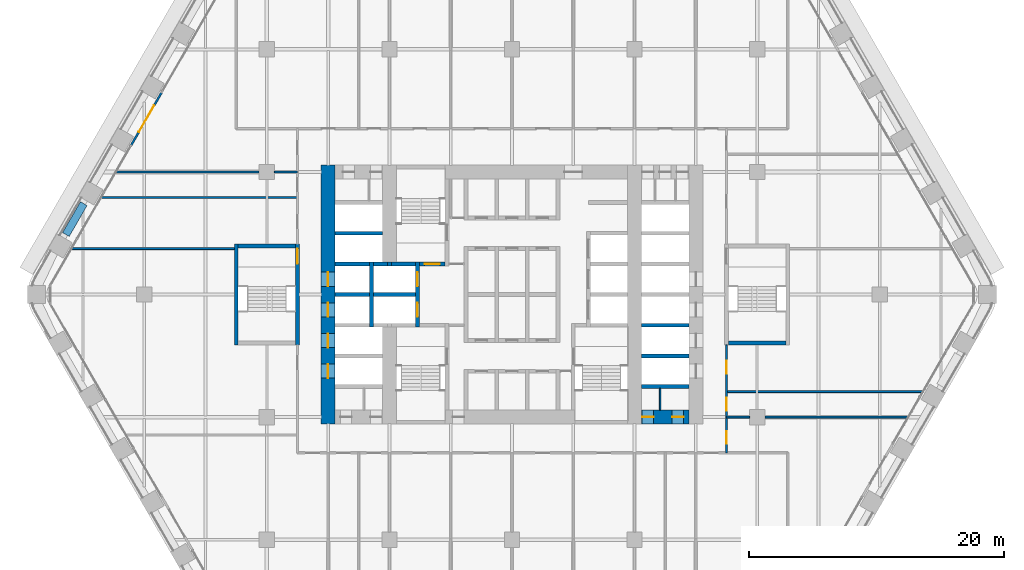
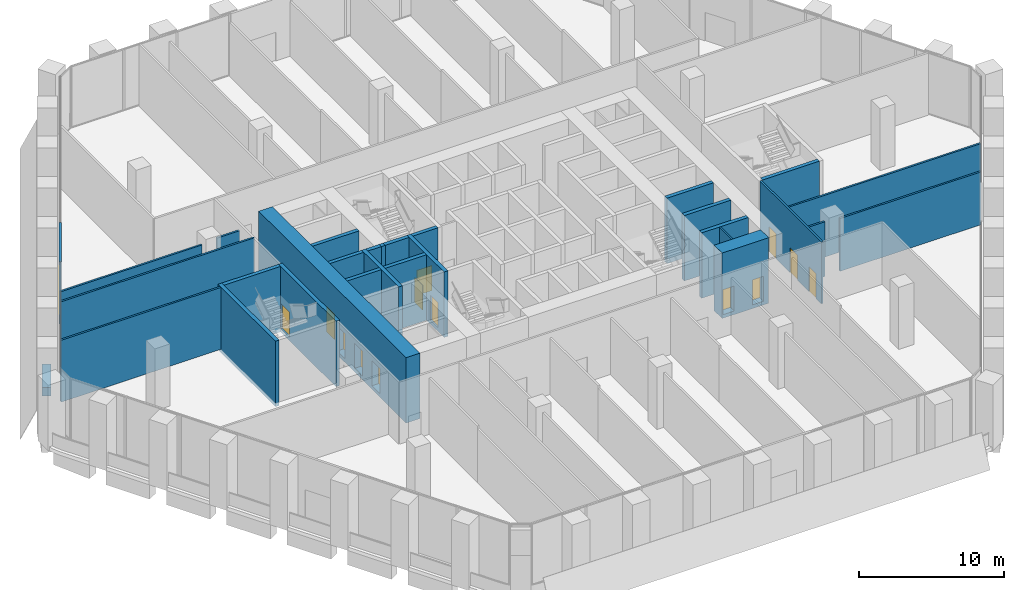
# One storey, part 19 of 27: 30 walls, 14 doors, 14 openings.
"""IFC4 building model written with IfcOpenShell, lengths in metres."""

from ifc_helpers import new_model, si_unit, direction, frame, frame_2d, origin, place, context, subcontext, project, spatial, rectangle, extrude, material, layer, layer_set, type_object, element, fill, save


model = new_model("IFC4")

# Units and contexts
model_context = context("Model", 3, precision=1e-05, world=origin(), true_north=direction((0.0, 1.0)))
body_context = subcontext(model_context, "Body", "Model", "MODEL_VIEW")
ifc_project = project(units=[si_unit("LENGTHUNIT", "METRE"), si_unit("AREAUNIT", "SQUARE_METRE"), si_unit("VOLUMEUNIT", "CUBIC_METRE"), si_unit("PLANEANGLEUNIT", "RADIAN"), si_unit("MASSUNIT", "GRAM", prefix="KILO")], contexts=[model_context])

# Site, building, storey
site_placement = place(None, origin())
site = spatial("IfcSite", under=ifc_project, at=site_placement, CompositionType="ELEMENT")
building_placement = place(site_placement, origin())
building = spatial("IfcBuilding", under=site, at=building_placement, Name="Kolab Exchange Tower", CompositionType="ELEMENT")
storey_placement = place(building_placement, frame((0.0, 0.0, 66.39990234375)))
storey = spatial("IfcBuildingStorey", under=building, at=storey_placement, Name="L12", CompositionType="ELEMENT", Elevation=66.39990234375)

# Wall, openings, doors
ifc_material_1 = material(Name="Concrete C80/95", Category="concrete")
ifc_layer_1 = layer(ifc_material_1, 1.10009765625)
ifc_layer_set_1 = layer_set([ifc_layer_1], Name="Concrete C80/95")
wall_type_1 = type_object("IfcWallType", Name="CORE WALL 1100 C80/95", PredefinedType="SHEAR", material=ifc_layer_set_1)
wall_1_placement = place(storey_placement, frame((10.14990234375, -9.60009765625, -0.2998046875), z_axis=(0.0, 0.0, 1.0), x_axis=(1.0, 0.0, 0.0)))
wall_1 = element("IfcWall", 1, at=wall_1_placement, inside=storey, type_object=wall_type_1, Name="wall/L12/core/004", PredefinedType="SHEAR", context=body_context, shape_type="SweptSolid", body=[
    extrude(rectangle(XDim=3.7001953125, YDim=1.10009765625, at=frame_2d((1.85009765625, 0.0))), origin(), (0.0, 0.0, 1.0), 5.5),
])
opening_1_placement = place(wall_1_placement, frame((0.050048828125, 0.0, 0.300048828125)))
opening_1 = element("IfcOpeningElement", 2, at=opening_1_placement, cuts=wall_1, Name="Opening D6-161", PredefinedType="OPENING", context=body_context, shape_type="SweptSolid", body=[
    extrude(rectangle(XDim=0.89990234375, YDim=2.10009765625, at=frame_2d((0.449951171875, 1.050048828125))), frame((0.0, 0.56005859375, 0.0), z_axis=(0.0, -1.0, 0.0), x_axis=(1.0, 0.0, 0.0)), (0.0, 0.0, 1.0), 1.1201171875),
])
opening_2_placement = place(wall_1_placement, frame((2.39990234375, 0.0, 0.300048828125)))
opening_2 = element("IfcOpeningElement", 3, at=opening_2_placement, cuts=wall_1, Name="Opening D6-162", PredefinedType="OPENING", context=body_context, shape_type="SweptSolid", body=[
    extrude(rectangle(XDim=0.89990234375, YDim=2.10009765625, at=frame_2d((0.449951171875, 1.050048828125))), frame((0.0, 0.56005859375, 0.0), z_axis=(0.0, -1.0, 0.0), x_axis=(1.0, 0.0, 0.0)), (0.0, 0.0, 1.0), 1.1201171875),
])
ifc_material_2 = material(Name="Steel S235", Category="steel")
door_type_1 = type_object("IfcDoorType", Name="CORE DOOR 900 EI 120", OperationType="SINGLE_SWING_LEFT", PredefinedType="DOOR", material=ifc_material_2)
door_1_placement = place(opening_1_placement, origin())
door_1 = element("IfcDoor", 4, at=door_1_placement, inside=storey, type_object=door_type_1, Name="Service room door", OperationType="SINGLE_SWING_RIGHT", OverallHeight=2.10009765625, OverallWidth=0.89990234375, PredefinedType="DOOR", context=body_context, shape_type="SweptSolid", body=[
    extrude(rectangle(XDim=0.89990234375, YDim=2.10009765625, at=frame_2d((0.449951171875, 1.050048828125))), frame((0.0, 0.02490234375, 0.0), z_axis=(0.0, -1.0, 0.0), x_axis=(1.0, 0.0, 0.0)), (0.0, 0.0, 1.0), 0.050048828125),
])
fill(opening_1, door_1)
door_2_placement = place(opening_2_placement, origin())
door_2 = element("IfcDoor", 5, at=door_2_placement, inside=storey, type_object=door_type_1, Name="Service room door", OperationType="SINGLE_SWING_LEFT", OverallHeight=2.10009765625, OverallWidth=0.89990234375, PredefinedType="DOOR", context=body_context, shape_type="SweptSolid", body=[
    extrude(rectangle(XDim=0.89990234375, YDim=2.10009765625, at=frame_2d((0.449951171875, 1.050048828125))), frame((0.0, 0.02490234375, 0.0), z_axis=(0.0, -1.0, 0.0), x_axis=(1.0, 0.0, 0.0)), (0.0, 0.0, 1.0), 0.050048828125),
])
fill(opening_2, door_2)

wall_2_placement = place(storey_placement, frame((-14.39990234375, -10.14990234375, -0.2998046875), z_axis=(0.0, 0.0, 1.0), x_axis=(0.0, 1.0, 0.0)))
wall_2 = element("IfcWall", 6, at=wall_2_placement, inside=storey, type_object=wall_type_1, Name="wall/L12/core/057", PredefinedType="SHEAR", context=body_context, shape_type="SweptSolid", body=[
    extrude(rectangle(XDim=20.2998046875, YDim=1.10009765625, at=frame_2d((10.14990234375, 0.0))), origin(), (0.0, 0.0, 1.0), 5.5),
])
opening_3_placement = place(wall_2_placement, frame((3.60009765625, 0.0, 0.300048828125)))
opening_3 = element("IfcOpeningElement", 7, at=opening_3_placement, cuts=wall_2, Name="Opening LD1-057", PredefinedType="OPENING", context=body_context, shape_type="SweptSolid", body=[
    extrude(rectangle(XDim=1.10009765625, YDim=2.10009765625, at=frame_2d((0.550048828125, 1.050048828125))), frame((0.0, 0.56005859375, 0.0), z_axis=(0.0, -1.0, 0.0), x_axis=(1.0, 0.0, 0.0)), (0.0, 0.0, 1.0), 1.1201171875),
])
opening_4_placement = place(wall_2_placement, frame((6.0, 0.0, 0.300048828125)))
opening_4 = element("IfcOpeningElement", 8, at=opening_4_placement, cuts=wall_2, Name="Opening LD1-058", PredefinedType="OPENING", context=body_context, shape_type="SweptSolid", body=[
    extrude(rectangle(XDim=1.10009765625, YDim=2.10009765625, at=frame_2d((0.550048828125, 1.050048828125))), frame((0.0, 0.56005859375, 0.0), z_axis=(0.0, -1.0, 0.0), x_axis=(1.0, 0.0, 0.0)), (0.0, 0.0, 1.0), 1.1201171875),
])
opening_5_placement = place(wall_2_placement, frame((8.39990234375, 0.0, 0.300048828125)))
opening_5 = element("IfcOpeningElement", 9, at=opening_5_placement, cuts=wall_2, Name="Opening LD1-059", PredefinedType="OPENING", context=body_context, shape_type="SweptSolid", body=[
    extrude(rectangle(XDim=1.10009765625, YDim=2.10009765625, at=frame_2d((0.550048828125, 1.050048828125))), frame((0.0, 0.56005859375, 0.0), z_axis=(0.0, -1.0, 0.0), x_axis=(1.0, 0.0, 0.0)), (0.0, 0.0, 1.0), 1.1201171875),
])
opening_6_placement = place(wall_2_placement, frame((10.800048828125, 0.0, 0.300048828125)))
opening_6 = element("IfcOpeningElement", 10, at=opening_6_placement, cuts=wall_2, Name="Opening LD1-060", PredefinedType="OPENING", context=body_context, shape_type="SweptSolid", body=[
    extrude(rectangle(XDim=1.10009765625, YDim=2.10009765625, at=frame_2d((0.550048828125, 1.050048828125))), frame((0.0, 0.56005859375, 0.0), z_axis=(0.0, -1.0, 0.0), x_axis=(1.0, 0.0, 0.0)), (0.0, 0.0, 1.0), 1.1201171875),
])
ifc_material_3 = material(Name="Stainless steel 316", Category="steel")
door_type_2 = type_object("IfcDoorType", Name="LANDING DOOR 1100 PASSENGER", OperationType="DOUBLE_DOOR_SLIDING", PredefinedType="DOOR", material=ifc_material_3)
door_3_placement = place(opening_3_placement, origin())
door_3 = element("IfcDoor", 11, at=door_3_placement, inside=storey, type_object=door_type_2, Name="Landing door LR5", OperationType="DOUBLE_DOOR_SLIDING", OverallHeight=2.10009765625, OverallWidth=1.10009765625, PredefinedType="DOOR", context=body_context, shape_type="SweptSolid", body=[
    extrude(rectangle(XDim=1.10009765625, YDim=2.10009765625, at=frame_2d((0.550048828125, 1.050048828125))), frame((0.0, 0.02490234375, 0.0), z_axis=(0.0, -1.0, 0.0), x_axis=(1.0, 0.0, 0.0)), (0.0, 0.0, 1.0), 0.050048828125),
])
fill(opening_3, door_3)
door_4_placement = place(opening_4_placement, origin())
door_4 = element("IfcDoor", 12, at=door_4_placement, inside=storey, type_object=door_type_2, Name="Landing door LR6", OperationType="DOUBLE_DOOR_SLIDING", OverallHeight=2.10009765625, OverallWidth=1.10009765625, PredefinedType="DOOR", context=body_context, shape_type="SweptSolid", body=[
    extrude(rectangle(XDim=1.10009765625, YDim=2.10009765625, at=frame_2d((0.550048828125, 1.050048828125))), frame((0.0, 0.02490234375, 0.0), z_axis=(0.0, -1.0, 0.0), x_axis=(1.0, 0.0, 0.0)), (0.0, 0.0, 1.0), 0.050048828125),
])
fill(opening_4, door_4)
door_5_placement = place(opening_5_placement, origin())
door_5 = element("IfcDoor", 13, at=door_5_placement, inside=storey, type_object=door_type_2, Name="Landing door LR7", OperationType="DOUBLE_DOOR_SLIDING", OverallHeight=2.10009765625, OverallWidth=1.10009765625, PredefinedType="DOOR", context=body_context, shape_type="SweptSolid", body=[
    extrude(rectangle(XDim=1.10009765625, YDim=2.10009765625, at=frame_2d((0.550048828125, 1.050048828125))), frame((0.0, 0.02490234375, 0.0), z_axis=(0.0, -1.0, 0.0), x_axis=(1.0, 0.0, 0.0)), (0.0, 0.0, 1.0), 0.050048828125),
])
fill(opening_5, door_5)
door_6_placement = place(opening_6_placement, origin())
door_6 = element("IfcDoor", 14, at=door_6_placement, inside=storey, type_object=door_type_2, Name="Landing door LR8", OperationType="DOUBLE_DOOR_SLIDING", OverallHeight=2.10009765625, OverallWidth=1.10009765625, PredefinedType="DOOR", context=body_context, shape_type="SweptSolid", body=[
    extrude(rectangle(XDim=1.10009765625, YDim=2.10009765625, at=frame_2d((0.550048828125, 1.050048828125))), frame((0.0, 0.02490234375, 0.0), z_axis=(0.0, -1.0, 0.0), x_axis=(1.0, 0.0, 0.0)), (0.0, 0.0, 1.0), 0.050048828125),
])
fill(opening_6, door_6)

# Wall, opening, door
ifc_material_4 = material(Name="Aluminium EN AW-6063 T6", Category="aluminium")
ifc_layer_2 = layer(ifc_material_4, 0.159912109375)
ifc_layer_set_2 = layer_set([ifc_layer_2], Name="Aluminium EN AW-6063 T6")
wall_type_2 = type_object("IfcWallType", Name="DOOR SURROUND WALL 160 ALUMINIUM FRAMED", PredefinedType="PARTITIONING", material=ifc_layer_set_2)
wall_3_placement = place(storey_placement, frame((-29.816650390625, 11.706787109375, 0.0), z_axis=(0.0, 0.0, 1.0), x_axis=(0.499978080042, 0.866038058908, 0.0)))
wall_3 = element("IfcWall", 15, at=wall_3_placement, inside=storey, type_object=wall_type_2, Name="Door surround wall", PredefinedType="PARTITIONING", context=body_context, shape_type="SweptSolid", body=[
    extrude(rectangle(XDim=4.739990234375, YDim=0.159912109375, at=frame_2d((2.3701171875, 0.0))), origin(), (0.0, 0.0, 1.0), 5.2001953125),
])
opening_7_placement = place(wall_3_placement, frame((1.169921875, 0.0, 0.0)))
opening_7 = element("IfcOpeningElement", 16, at=opening_7_placement, cuts=wall_3, Name="Opening GD1-028", PredefinedType="OPENING", context=body_context, shape_type="SweptSolid", body=[
    extrude(rectangle(XDim=2.39990234375, YDim=2.39990234375, at=frame_2d((1.199951171875, 1.199951171875))), frame((0.0, 0.08984375, 0.0), z_axis=(0.0, -1.0, 0.0), x_axis=(1.0, 0.0, 0.0)), (0.0, 0.0, 1.0), 0.179931640625),
])
door_type_3 = type_object("IfcDoorType", Name="LOGGIA SLIDING GLASS DOOR 2400 X 2400", OperationType="DOUBLE_DOOR_SINGLE_SWING", PredefinedType="DOOR", material=ifc_material_4)
door_7_placement = place(opening_7_placement, origin())
door_7 = element("IfcDoor", 17, at=door_7_placement, inside=storey, type_object=door_type_3, Name="Loggia door", OperationType="DOUBLE_DOOR_SLIDING", OverallHeight=2.39990234375, OverallWidth=2.39990234375, PredefinedType="DOOR", context=body_context, shape_type="SweptSolid", body=[
    extrude(rectangle(XDim=2.39990234375, YDim=2.39990234375, at=frame_2d((1.199951171875, 1.199951171875))), frame((0.0, 0.02490234375, 0.0), z_axis=(0.0, -1.0, 0.0), x_axis=(1.0, 0.0, 0.0)), (0.0, 0.0, 1.0), 0.050048828125),
])
fill(opening_7, door_7)

# Walls
ifc_material_5 = material(Name="Concrete C50/60", Category="concrete")
ifc_layer_3 = layer(ifc_material_5, 0.300048828125)
ifc_layer_set_3 = layer_set([ifc_layer_3], Name="Concrete C50/60")
wall_type_3 = type_object("IfcWallType", Name="LIFT SHAFT WALL 300 C50/60", PredefinedType="STANDARD", material=ifc_layer_set_3)
for number, where, z_axis, x_axis, name in (
    (18, (10.14990234375, -7.199951171875, -0.2998046875), (0.0, 0.0, 1.0), (1.0, 0.0, 0.0), "wall/L12/core/006"),
    (19, (10.14990234375, -4.800048828125, -0.2998046875), (0.0, 0.0, 1.0), (1.0, 0.0, 0.0), "wall/L12/core/011"),
    (20, (10.14990234375, -2.39990234375, -0.2998046875), (0.0, 0.0, 1.0), (1.0, 0.0, 0.0), "wall/L12/core/023"),
):
    element("IfcWall", number, at=place(storey_placement, frame(where, z_axis=z_axis, x_axis=x_axis)), inside=storey, type_object=wall_type_3, Name=name, PredefinedType="STANDARD", context=body_context, shape_type="SweptSolid", body=[
        extrude(rectangle(XDim=3.7001953125, YDim=0.300048828125, at=frame_2d((1.85009765625, 0.0))), origin(), (0.0, 0.0, 1.0), 5.5),
    ])
wall_4_placement = place(storey_placement, frame((-13.85009765625, 0.0, -0.2998046875), z_axis=(0.0, 0.0, 1.0), x_axis=(1.0, 0.0, 0.0)))
element("IfcWall", 21, at=wall_4_placement, inside=storey, type_object=wall_type_3, Name="wall/L12/core/024", PredefinedType="STANDARD", context=body_context, shape_type="SweptSolid", body=[
    extrude(rectangle(XDim=2.7001953125, YDim=0.300048828125, at=frame_2d((1.35009765625, 0.0))), origin(), (0.0, 0.0, 1.0), 5.5),
])
wall_5_placement = place(storey_placement, frame((-10.85009765625, 0.0, -0.2998046875), z_axis=(0.0, 0.0, 1.0), x_axis=(1.0, 0.0, 0.0)))
element("IfcWall", 22, at=wall_5_placement, inside=storey, type_object=wall_type_3, Name="wall/L12/core/025", PredefinedType="STANDARD", context=body_context, shape_type="SweptSolid", body=[
    extrude(rectangle(XDim=3.300048828125, YDim=0.300048828125, at=frame_2d((1.64990234375, 0.0))), origin(), (0.0, 0.0, 1.0), 5.5),
])
wall_6_placement = place(storey_placement, frame((-13.85009765625, 2.39990234375, -0.2998046875), z_axis=(0.0, 0.0, 1.0), x_axis=(1.0, 0.0, 0.0)))
element("IfcWall", 23, at=wall_6_placement, inside=storey, type_object=wall_type_3, Name="wall/L12/core/031", PredefinedType="STANDARD", context=body_context, shape_type="SweptSolid", body=[
    extrude(rectangle(XDim=2.7001953125, YDim=0.300048828125, at=frame_2d((1.35009765625, 0.0))), origin(), (0.0, 0.0, 1.0), 5.5),
])
wall_7_placement = place(storey_placement, frame((-10.85009765625, 2.39990234375, -0.2998046875), z_axis=(0.0, 0.0, 1.0), x_axis=(1.0, 0.0, 0.0)))
element("IfcWall", 24, at=wall_7_placement, inside=storey, type_object=wall_type_3, Name="wall/L12/core/032", PredefinedType="STANDARD", context=body_context, shape_type="SweptSolid", body=[
    extrude(rectangle(XDim=1.10009765625, YDim=0.300048828125, at=frame_2d((0.550048828125, 0.0))), origin(), (0.0, 0.0, 1.0), 5.5),
])
wall_8_placement = place(storey_placement, frame((-13.85009765625, 4.800048828125, -0.2998046875), z_axis=(0.0, 0.0, 1.0), x_axis=(1.0, 0.0, 0.0)))
element("IfcWall", 25, at=wall_8_placement, inside=storey, type_object=wall_type_3, Name="wall/L12/core/042", PredefinedType="STANDARD", context=body_context, shape_type="SweptSolid", body=[
    extrude(rectangle(XDim=3.7001953125, YDim=0.300048828125, at=frame_2d((1.85009765625, 0.0))), origin(), (0.0, 0.0, 1.0), 5.5),
])
wall_9_placement = place(storey_placement, frame((-11.0, -2.550048828125, -0.2998046875), z_axis=(0.0, 0.0, 1.0), x_axis=(0.0, 1.0, 0.0)))
element("IfcWall", 26, at=wall_9_placement, inside=storey, type_object=wall_type_3, Name="wall/L12/core/058", PredefinedType="STANDARD", context=body_context, shape_type="SweptSolid", body=[
    extrude(rectangle(XDim=5.10009765625, YDim=0.300048828125, at=frame_2d((2.550048828125, 0.0))), origin(), (0.0, 0.0, 1.0), 5.5),
])

# Wall, openings, doors
wall_10_placement = place(storey_placement, frame((-7.39990234375, -2.550048828125, -0.2998046875), z_axis=(0.0, 0.0, 1.0), x_axis=(0.0, 1.0, 0.0)))
wall_10 = element("IfcWall", 27, at=wall_10_placement, inside=storey, type_object=wall_type_3, Name="wall/L12/core/063", PredefinedType="STANDARD", context=body_context, shape_type="SweptSolid", body=[
    extrude(rectangle(XDim=5.10009765625, YDim=0.300048828125, at=frame_2d((2.550048828125, 0.0))), origin(), (0.0, 0.0, 1.0), 5.5),
])
opening_8_placement = place(wall_10_placement, frame((0.800048828125, 0.0, 0.300048828125)))
opening_8 = element("IfcOpeningElement", 28, at=opening_8_placement, cuts=wall_10, Name="Opening LD2-013", PredefinedType="OPENING", context=body_context, shape_type="SweptSolid", body=[
    extrude(rectangle(XDim=1.10009765625, YDim=2.10009765625, at=frame_2d((0.550048828125, 1.050048828125))), frame((0.0, 0.16015625, 0.0), z_axis=(0.0, -1.0, 0.0), x_axis=(1.0, 0.0, 0.0)), (0.0, 0.0, 1.0), 0.320068359375),
])
opening_9_placement = place(wall_10_placement, frame((3.199951171875, 0.0, 0.300048828125)))
opening_9 = element("IfcOpeningElement", 29, at=opening_9_placement, cuts=wall_10, Name="Opening LD2-014", PredefinedType="OPENING", context=body_context, shape_type="SweptSolid", body=[
    extrude(rectangle(XDim=1.10009765625, YDim=2.10009765625, at=frame_2d((0.550048828125, 1.050048828125))), frame((0.0, 0.16015625, 0.0), z_axis=(0.0, -1.0, 0.0), x_axis=(1.0, 0.0, 0.0)), (0.0, 0.0, 1.0), 0.320068359375),
])
door_type_4 = type_object("IfcDoorType", Name="LANDING DOOR 1100 FIREFIGHTING", OperationType="DOUBLE_DOOR_SLIDING", PredefinedType="DOOR", material=ifc_material_3)
door_8_placement = place(opening_8_placement, origin())
door_8 = element("IfcDoor", 30, at=door_8_placement, inside=storey, type_object=door_type_4, Name="Landing door FF1", OperationType="DOUBLE_DOOR_SLIDING", OverallHeight=2.10009765625, OverallWidth=1.10009765625, PredefinedType="DOOR", context=body_context, shape_type="SweptSolid", body=[
    extrude(rectangle(XDim=1.10009765625, YDim=2.10009765625, at=frame_2d((0.550048828125, 1.050048828125))), frame((0.0, 0.02490234375, 0.0), z_axis=(0.0, -1.0, 0.0), x_axis=(1.0, 0.0, 0.0)), (0.0, 0.0, 1.0), 0.050048828125),
])
fill(opening_8, door_8)
door_9_placement = place(opening_9_placement, origin())
door_9 = element("IfcDoor", 31, at=door_9_placement, inside=storey, type_object=door_type_4, Name="Landing door FF2", OperationType="DOUBLE_DOOR_SLIDING", OverallHeight=2.10009765625, OverallWidth=1.10009765625, PredefinedType="DOOR", context=body_context, shape_type="SweptSolid", body=[
    extrude(rectangle(XDim=1.10009765625, YDim=2.10009765625, at=frame_2d((0.550048828125, 1.050048828125))), frame((0.0, 0.02490234375, 0.0), z_axis=(0.0, -1.0, 0.0), x_axis=(1.0, 0.0, 0.0)), (0.0, 0.0, 1.0), 0.050048828125),
])
fill(opening_9, door_9)

# Wall
ifc_material_6 = material(Name="Gypsum board", Category="gypsum")
ifc_layer_4 = layer(ifc_material_6, 0.10009765625)
ifc_layer_set_4 = layer_set([ifc_layer_4], Name="Gypsum board")
wall_type_4 = type_object("IfcWallType", Name="PARTITION 100", PredefinedType="PARTITIONING", material=ifc_layer_set_4)
wall_11_placement = place(storey_placement, frame((11.60009765625, -9.050048828125, 0.0), z_axis=(0.0, 0.0, 1.0), x_axis=(0.0, 1.0, 0.0)))
element("IfcWall", 32, at=wall_11_placement, inside=storey, type_object=wall_type_4, Name="Partition 008", PredefinedType="PARTITIONING", context=body_context, shape_type="SweptSolid", body=[
    extrude(rectangle(XDim=1.699951171875, YDim=0.10009765625, at=frame_2d((0.85009765625, 0.0))), origin(), (0.0, 0.0, 1.0), 5.2001953125),
])

# Wall, openings, doors
ifc_layer_5 = layer(ifc_material_6, 0.14990234375)
ifc_layer_set_5 = layer_set([ifc_layer_5], Name="Gypsum board")
wall_type_5 = type_object("IfcWallType", Name="PARTITION 150 FIRE-RATED", PredefinedType="PARTITIONING", material=ifc_layer_set_5)
wall_12_placement = place(storey_placement, frame((16.800048828125, -12.39990234375, 0.0), z_axis=(0.0, 0.0, 1.0), x_axis=(0.0, 1.0, 0.0)))
wall_12 = element("IfcWall", 33, at=wall_12_placement, inside=storey, type_object=wall_type_5, Name="Partition 002", PredefinedType="PARTITIONING", context=body_context, shape_type="SweptSolid", body=[
    extrude(rectangle(XDim=8.449951171875, YDim=0.14990234375, at=frame_2d((4.22509765625, 0.0))), origin(), (0.0, 0.0, 1.0), 5.2001953125),
])
opening_10_placement = place(wall_12_placement, frame((0.699951171875, 0.0, 0.0)))
opening_10 = element("IfcOpeningElement", 34, at=opening_10_placement, cuts=wall_12, Name="Opening D1-162", PredefinedType="OPENING", context=body_context, shape_type="SweptSolid", body=[
    extrude(rectangle(XDim=1.0, YDim=2.10009765625, at=frame_2d((0.5, 1.050048828125))), frame((0.0, 0.0849609375, 0.0), z_axis=(0.0, -1.0, 0.0), x_axis=(1.0, 0.0, 0.0)), (0.0, 0.0, 1.0), 0.169921875),
])
opening_11_placement = place(wall_12_placement, frame((3.300048828125, 0.0, 0.0)))
opening_11 = element("IfcOpeningElement", 35, at=opening_11_placement, cuts=wall_12, Name="Opening D1-163", PredefinedType="OPENING", context=body_context, shape_type="SweptSolid", body=[
    extrude(rectangle(XDim=1.0, YDim=2.10009765625, at=frame_2d((0.5, 1.050048828125))), frame((0.0, 0.0849609375, 0.0), z_axis=(0.0, -1.0, 0.0), x_axis=(1.0, 0.0, 0.0)), (0.0, 0.0, 1.0), 0.169921875),
])
opening_12_placement = place(wall_12_placement, frame((6.199951171875, 0.0, 0.0)))
opening_12 = element("IfcOpeningElement", 36, at=opening_12_placement, cuts=wall_12, Name="Opening D1-164", PredefinedType="OPENING", context=body_context, shape_type="SweptSolid", body=[
    extrude(rectangle(XDim=1.0, YDim=2.10009765625, at=frame_2d((0.5, 1.050048828125))), frame((0.0, 0.0849609375, 0.0), z_axis=(0.0, -1.0, 0.0), x_axis=(1.0, 0.0, 0.0)), (0.0, 0.0, 1.0), 0.169921875),
])
door_type_5 = type_object("IfcDoorType", Name="FLUSH DOOR 1000 FD60", OperationType="SINGLE_SWING_LEFT", PredefinedType="DOOR", material=ifc_material_2)
door_10_placement = place(opening_10_placement, frame((1.0, 0.0, 0.0), z_axis=(0.0, 0.0, 1.0), x_axis=(-1.0, 0.0, 0.0)))
door_10 = element("IfcDoor", 37, at=door_10_placement, inside=storey, type_object=door_type_5, Name="Door L12-068", OperationType="SINGLE_SWING_LEFT", OverallHeight=2.10009765625, OverallWidth=1.0, PredefinedType="DOOR", context=body_context, shape_type="SweptSolid", body=[
    extrude(rectangle(XDim=1.0, YDim=2.10009765625, at=frame_2d((0.5, 1.050048828125))), frame((0.0, 0.02490234375, 0.0), z_axis=(0.0, -1.0, 0.0), x_axis=(1.0, 0.0, 0.0)), (0.0, 0.0, 1.0), 0.050048828125),
])
fill(opening_10, door_10)
door_11_placement = place(opening_11_placement, frame((1.0, 0.0, 0.0), z_axis=(0.0, 0.0, 1.0), x_axis=(-1.0, 0.0, 0.0)))
door_11 = element("IfcDoor", 38, at=door_11_placement, inside=storey, type_object=door_type_5, Name="Door L12-069", OperationType="SINGLE_SWING_LEFT", OverallHeight=2.10009765625, OverallWidth=1.0, PredefinedType="DOOR", context=body_context, shape_type="SweptSolid", body=[
    extrude(rectangle(XDim=1.0, YDim=2.10009765625, at=frame_2d((0.5, 1.050048828125))), frame((0.0, 0.02490234375, 0.0), z_axis=(0.0, -1.0, 0.0), x_axis=(1.0, 0.0, 0.0)), (0.0, 0.0, 1.0), 0.050048828125),
])
fill(opening_11, door_11)
door_12_placement = place(opening_12_placement, frame((1.0, 0.0, 0.0), z_axis=(0.0, 0.0, 1.0), x_axis=(-1.0, 0.0, 0.0)))
door_12 = element("IfcDoor", 39, at=door_12_placement, inside=storey, type_object=door_type_5, Name="Door L12-070", OperationType="SINGLE_SWING_LEFT", OverallHeight=2.10009765625, OverallWidth=1.0, PredefinedType="DOOR", context=body_context, shape_type="SweptSolid", body=[
    extrude(rectangle(XDim=1.0, YDim=2.10009765625, at=frame_2d((0.5, 1.050048828125))), frame((0.0, 0.02490234375, 0.0), z_axis=(0.0, -1.0, 0.0), x_axis=(1.0, 0.0, 0.0)), (0.0, 0.0, 1.0), 0.050048828125),
])
fill(opening_12, door_12)

# Walls
wall_13_placement = place(storey_placement, frame((16.800048828125, -9.60009765625, 0.0), z_axis=(0.0, 0.0, 1.0), x_axis=(1.0, 0.0, 0.0)))
element("IfcWall", 40, at=wall_13_placement, inside=storey, type_object=wall_type_5, Name="Partition 037", PredefinedType="PARTITIONING", context=body_context, shape_type="SweptSolid", body=[
    extrude(rectangle(XDim=1.800048828125, YDim=0.14990234375, at=frame_2d((0.89990234375, 0.0))), origin(), (0.0, 0.0, 1.0), 4.592041015625),
])
wall_14_placement = place(storey_placement, frame((19.800048828125, -9.60009765625, 0.0), z_axis=(0.0, 0.0, 1.0), x_axis=(1.0, 0.0, 0.0)))
element("IfcWall", 41, at=wall_14_placement, inside=storey, type_object=wall_type_5, Name="Partition 038", PredefinedType="PARTITIONING", context=body_context, shape_type="SweptSolid", body=[
    extrude(rectangle(XDim=11.186767578125, YDim=0.14990234375, at=frame_2d((5.59326171875, 0.0))), origin(), (0.0, 0.0, 1.0), 4.43798828125),
])
wall_15_placement = place(storey_placement, frame((16.800048828125, -7.60009765625, 0.0), z_axis=(0.0, 0.0, 1.0), x_axis=(1.0, 0.0, 0.0)))
element("IfcWall", 42, at=wall_15_placement, inside=storey, type_object=wall_type_5, Name="Partition 039", PredefinedType="PARTITIONING", context=body_context, shape_type="SweptSolid", body=[
    extrude(rectangle(XDim=15.341552734375, YDim=0.14990234375, at=frame_2d((7.6708984375, 0.0))), origin(), (0.0, 0.0, 1.0), 5.2001953125),
])
wall_16_placement = place(storey_placement, frame((-34.450927734375, 3.60009765625, 0.0), z_axis=(0.0, 0.0, 1.0), x_axis=(1.0, 0.0, 0.0)))
element("IfcWall", 43, at=wall_16_placement, inside=storey, type_object=wall_type_5, Name="Partition 041", PredefinedType="PARTITIONING", context=body_context, shape_type="SweptSolid", body=[
    extrude(rectangle(XDim=12.700927734375, YDim=0.14990234375, at=frame_2d((6.3505859375, 0.0))), origin(), (0.0, 0.0, 1.0), 5.2001953125),
])
wall_17_placement = place(storey_placement, frame((-32.1416015625, 7.60009765625, 0.0), z_axis=(0.0, 0.0, 1.0), x_axis=(1.0, 0.0, 0.0)))
element("IfcWall", 44, at=wall_17_placement, inside=storey, type_object=wall_type_5, Name="Partition 044", PredefinedType="PARTITIONING", context=body_context, shape_type="SweptSolid", body=[
    extrude(rectangle(XDim=15.341552734375, YDim=0.14990234375, at=frame_2d((7.6708984375, 0.0))), origin(), (0.0, 0.0, 1.0), 5.2001953125),
])
wall_18_placement = place(storey_placement, frame((-30.98681640625, 9.60009765625, 0.0), z_axis=(0.0, 0.0, 1.0), x_axis=(1.0, 0.0, 0.0)))
element("IfcWall", 45, at=wall_18_placement, inside=storey, type_object=wall_type_5, Name="Partition 045", PredefinedType="PARTITIONING", context=body_context, shape_type="SweptSolid", body=[
    extrude(rectangle(XDim=11.186767578125, YDim=0.14990234375, at=frame_2d((5.59326171875, 0.0))), origin(), (0.0, 0.0, 1.0), 4.43798828125),
])
wall_19_placement = place(storey_placement, frame((-18.60009765625, 9.60009765625, 0.0), z_axis=(0.0, 0.0, 1.0), x_axis=(1.0, 0.0, 0.0)))
element("IfcWall", 46, at=wall_19_placement, inside=storey, type_object=wall_type_5, Name="Partition 046", PredefinedType="PARTITIONING", context=body_context, shape_type="SweptSolid", body=[
    extrude(rectangle(XDim=1.800048828125, YDim=0.14990234375, at=frame_2d((0.89990234375, 0.0))), origin(), (0.0, 0.0, 1.0), 4.592041015625),
])
ifc_material_7 = material(Name="Granite facing", Category="masonry")
ifc_layer_6 = layer(ifc_material_7, 0.0400390625)
ifc_material_8 = material(Name="Concrete C40/50 precast", Category="concrete")
ifc_layer_7 = layer(ifc_material_8, 0.56005859375)
ifc_layer_set_6 = layer_set([ifc_layer_6, ifc_layer_7], Name="Concrete C40/50 precast")
wall_type_6 = type_object("IfcWallType", Name="PLANTER BOX 600 X 700 SOIL DEPTH 550", PredefinedType="USERDEFINED", material=ifc_layer_set_6)
wall_20_placement = place(storey_placement, frame((-34.93701171875, 4.697998046875, 0.0), z_axis=(0.0, 0.0, 1.0), x_axis=(0.49998411664, 0.866034573852, 0.0)))
element("IfcWall", 47, at=wall_20_placement, inside=storey, type_object=wall_type_6, Name="Planter", ObjectType="PLANTER", PredefinedType="USERDEFINED", context=body_context, shape_type="SweptSolid", body=[
    extrude(rectangle(XDim=2.7998046875, YDim=0.60009765625, at=frame_2d((1.39990234375, 0.0))), origin(), (0.0, 0.0, 1.0), 0.7001953125),
])
ifc_layer_8 = layer(ifc_material_5, 0.300048828125)
ifc_layer_set_7 = layer_set([ifc_layer_8], Name="Concrete C50/60")
wall_type_7 = type_object("IfcWallType", Name="STAIR ENCLOSURE WALL 300 C50/60", PredefinedType="STANDARD", material=ifc_layer_set_7)
wall_21_placement = place(storey_placement, frame((16.949951171875, -3.800048828125, -0.2998046875), z_axis=(0.0, 0.0, 1.0), x_axis=(1.0, 0.0, 0.0)))
element("IfcWall", 48, at=wall_21_placement, inside=storey, type_object=wall_type_7, Name="wall/L12/core/013", PredefinedType="STANDARD", context=body_context, shape_type="SweptSolid", body=[
    extrude(rectangle(XDim=4.5, YDim=0.300048828125, at=frame_2d((2.25, 0.0))), origin(), (0.0, 0.0, 1.0), 5.5),
])
wall_22_placement = place(storey_placement, frame((-9.449951171875, 2.39990234375, -0.2998046875), z_axis=(0.0, 0.0, 1.0), x_axis=(1.0, 0.0, 0.0)))
element("IfcWall", 49, at=wall_22_placement, inside=storey, type_object=wall_type_7, Name="wall/L12/core/033", PredefinedType="STANDARD", context=body_context, shape_type="SweptSolid", body=[
    extrude(rectangle(XDim=1.89990234375, YDim=0.300048828125, at=frame_2d((0.949951171875, 0.0))), origin(), (0.0, 0.0, 1.0), 5.5),
])

# Wall, opening, door
wall_23_placement = place(storey_placement, frame((-7.25, 2.39990234375, -0.2998046875), z_axis=(0.0, 0.0, 1.0), x_axis=(1.0, 0.0, 0.0)))
wall_23 = element("IfcWall", 50, at=wall_23_placement, inside=storey, type_object=wall_type_7, Name="wall/L12/core/034", PredefinedType="STANDARD", context=body_context, shape_type="SweptSolid", body=[
    extrude(rectangle(XDim=2.0, YDim=0.300048828125, at=frame_2d((1.0, 0.0))), origin(), (0.0, 0.0, 1.0), 5.5),
])
opening_13_placement = place(wall_23_placement, frame((0.39990234375, 0.0, 0.300048828125)))
opening_13 = element("IfcOpeningElement", 51, at=opening_13_placement, cuts=wall_23, Name="Opening D4-031", PredefinedType="OPENING", context=body_context, shape_type="SweptSolid", body=[
    extrude(rectangle(XDim=1.199951171875, YDim=2.10009765625, at=frame_2d((0.60009765625, 1.050048828125))), frame((0.0, 0.16015625, 0.0), z_axis=(0.0, -1.0, 0.0), x_axis=(1.0, 0.0, 0.0)), (0.0, 0.0, 1.0), 0.320068359375),
])
door_type_6 = type_object("IfcDoorType", Name="STAIR DOOR 1200 EI 120", OperationType="SINGLE_SWING_LEFT", PredefinedType="DOOR", material=ifc_material_2)
door_13_placement = place(opening_13_placement, origin())
door_13 = element("IfcDoor", 52, at=door_13_placement, inside=storey, type_object=door_type_6, Name="Stair 1 door", OperationType="SINGLE_SWING_RIGHT", OverallHeight=2.10009765625, OverallWidth=1.199951171875, PredefinedType="DOOR", context=body_context, shape_type="SweptSolid", body=[
    extrude(rectangle(XDim=1.199951171875, YDim=2.10009765625, at=frame_2d((0.60009765625, 1.050048828125))), frame((0.0, 0.02490234375, 0.0), z_axis=(0.0, -1.0, 0.0), x_axis=(1.0, 0.0, 0.0)), (0.0, 0.0, 1.0), 0.050048828125),
])
fill(opening_13, door_13)

# Walls
wall_24_placement = place(storey_placement, frame((-21.449951171875, 3.800048828125, -0.2998046875), z_axis=(0.0, 0.0, 1.0), x_axis=(1.0, 0.0, 0.0)))
element("IfcWall", 53, at=wall_24_placement, inside=storey, type_object=wall_type_7, Name="wall/L12/core/040", PredefinedType="STANDARD", context=body_context, shape_type="SweptSolid", body=[
    extrude(rectangle(XDim=4.5, YDim=0.300048828125, at=frame_2d((2.25, 0.0))), origin(), (0.0, 0.0, 1.0), 5.5),
])
wall_25_placement = place(storey_placement, frame((-21.60009765625, -3.949951171875, -0.2998046875), z_axis=(0.0, 0.0, 1.0), x_axis=(0.0, 1.0, 0.0)))
element("IfcWall", 54, at=wall_25_placement, inside=storey, type_object=wall_type_7, Name="wall/L12/core/055", PredefinedType="STANDARD", context=body_context, shape_type="SweptSolid", body=[
    extrude(rectangle(XDim=7.89990234375, YDim=0.300048828125, at=frame_2d((3.949951171875, 0.0))), origin(), (0.0, 0.0, 1.0), 5.5),
])

# Wall, opening, door
wall_26_placement = place(storey_placement, frame((-16.800048828125, -3.949951171875, -0.2998046875), z_axis=(0.0, 0.0, 1.0), x_axis=(0.0, 1.0, 0.0)))
wall_26 = element("IfcWall", 55, at=wall_26_placement, inside=storey, type_object=wall_type_7, Name="wall/L12/core/056", PredefinedType="STANDARD", context=body_context, shape_type="SweptSolid", body=[
    extrude(rectangle(XDim=7.89990234375, YDim=0.300048828125, at=frame_2d((3.949951171875, 0.0))), origin(), (0.0, 0.0, 1.0), 5.5),
])
opening_14_placement = place(wall_26_placement, frame((6.35009765625, 0.0, 0.300048828125)))
opening_14 = element("IfcOpeningElement", 56, at=opening_14_placement, cuts=wall_26, Name="Opening D4-036", PredefinedType="OPENING", context=body_context, shape_type="SweptSolid", body=[
    extrude(rectangle(XDim=1.199951171875, YDim=2.10009765625, at=frame_2d((0.60009765625, 1.050048828125))), frame((0.0, 0.16015625, 0.0), z_axis=(0.0, -1.0, 0.0), x_axis=(1.0, 0.0, 0.0)), (0.0, 0.0, 1.0), 0.320068359375),
])
door_14_placement = place(opening_14_placement, origin())
door_14 = element("IfcDoor", 57, at=door_14_placement, inside=storey, type_object=door_type_6, Name="Stair 5 door", OperationType="SINGLE_SWING_RIGHT", OverallHeight=2.10009765625, OverallWidth=1.199951171875, PredefinedType="DOOR", context=body_context, shape_type="SweptSolid", body=[
    extrude(rectangle(XDim=1.199951171875, YDim=2.10009765625, at=frame_2d((0.60009765625, 1.050048828125))), frame((0.0, 0.02490234375, 0.0), z_axis=(0.0, -1.0, 0.0), x_axis=(1.0, 0.0, 0.0)), (0.0, 0.0, 1.0), 0.050048828125),
])
fill(opening_14, door_14)

# Wall
wall_27_placement = place(storey_placement, frame((-9.60009765625, 2.25, -0.2998046875), z_axis=(0.0, 0.0, 1.0), x_axis=(0.0, 1.0, 0.0)))
element("IfcWall", 58, at=wall_27_placement, inside=storey, type_object=wall_type_7, Name="wall/L12/core/061", PredefinedType="STANDARD", context=body_context, shape_type="SweptSolid", body=[
    extrude(rectangle(XDim=0.300048828125, YDim=0.300048828125, at=frame_2d((0.14990234375, 0.0))), origin(), (0.0, 0.0, 1.0), 5.5),
])

save(model, "model.ifc")
